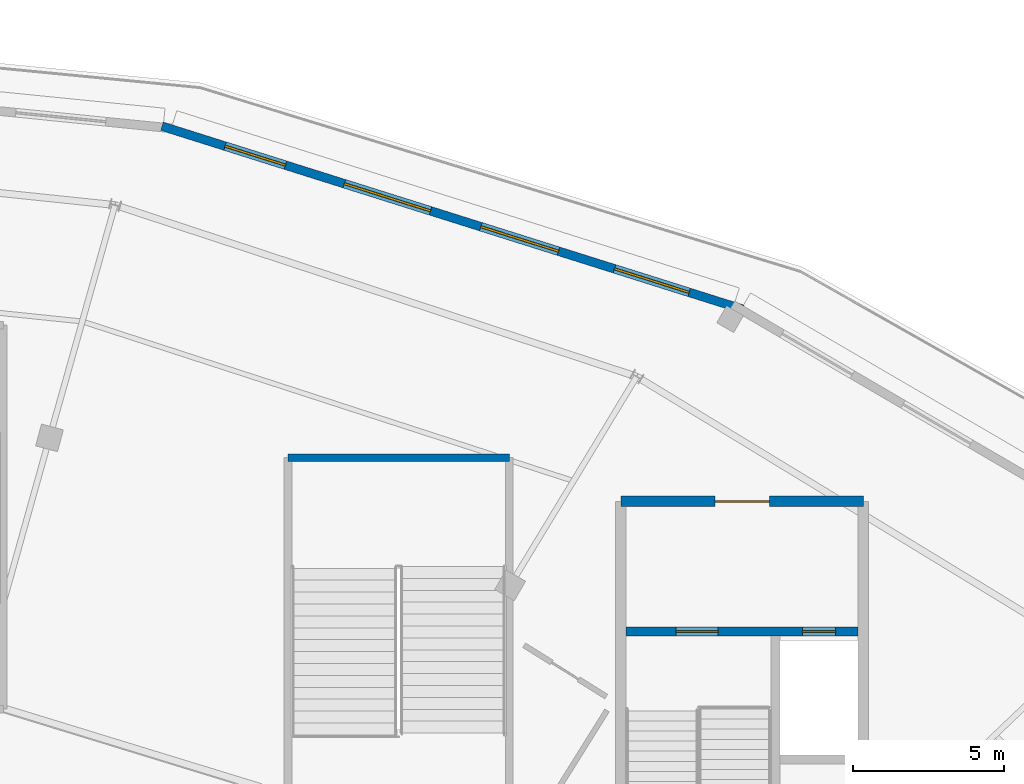
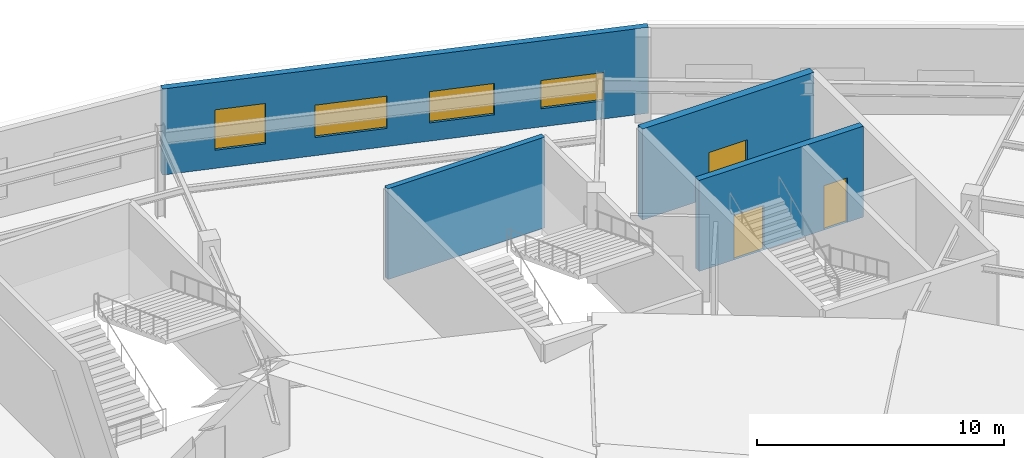
# One storey, part 39 of 63: 4 walls, 4 windows, 3 doors, 7 openings.
"""IFC4 building model written with IfcOpenShell, lengths in metres."""

from ifc_helpers import new_model, si_unit, direction, frame, frame_2d, origin, place, context, subcontext, project, spatial, rectangle, extrude, material, layer, layer_set, type_object, element, fill, save


model = new_model("IFC4")

# Units and contexts
model_context = context("Model", 3, precision=1e-05, world=origin(), true_north=direction((0.0, 1.0)))
body_context = subcontext(model_context, "Body", "Model", "MODEL_VIEW")
ifc_project = project(units=[si_unit("LENGTHUNIT", "METRE"), si_unit("AREAUNIT", "SQUARE_METRE"), si_unit("VOLUMEUNIT", "CUBIC_METRE"), si_unit("PLANEANGLEUNIT", "RADIAN"), si_unit("MASSUNIT", "GRAM", prefix="KILO")], contexts=[model_context])

# Site, building, storey
site_placement = place(None, origin())
site = spatial("IfcSite", under=ifc_project, at=site_placement, CompositionType="ELEMENT")
building_placement = place(site_placement, origin())
building = spatial("IfcBuilding", under=site, at=building_placement, Name="Kalgoora Escarpment Arena", CompositionType="ELEMENT")
storey_placement = place(building_placement, frame((0.0, 0.0, 14.39990234375)))
storey = spatial("IfcBuildingStorey", under=building, at=storey_placement, Name="L03", CompositionType="ELEMENT", Elevation=14.39990234375)

# Wall, opening, door
ifc_material_1 = material(Name="Concrete N50 (fc' 50 MPa)", Category="concrete")
ifc_layer_1 = layer(ifc_material_1, 0.35009765625)
ifc_layer_set_1 = layer_set([ifc_layer_1], Name="WAL-CORE-350")
wall_type_1 = type_object("IfcWallType", Name="WAL-CORE-350", PredefinedType="SHEAR", material=ifc_layer_set_1)
wall_1_placement = place(storey_placement, frame((127.77490234375, 109.22509765625, 0.0), z_axis=(0.0, 0.0, 1.0), x_axis=(1.0, 0.0, 0.0)))
wall_1 = element("IfcWall", 1, at=wall_1_placement, inside=storey, type_object=wall_type_1, Name="Core C4 L03 north lobby wall", PredefinedType="SHEAR", context=body_context, shape_type="SweptSolid", body=[
    extrude(rectangle(XDim=8.050048828125, YDim=0.35009765625, at=frame_2d((4.02490234375, 0.0))), origin(), (0.0, 0.0, 1.0), 4.5),
])
opening_1_placement = place(wall_1_placement, frame((3.125, 0.0, 0.0)))
opening_1 = element("IfcOpeningElement", 2, at=opening_1_placement, cuts=wall_1, Name="Opening FD-C4L", PredefinedType="OPENING", context=body_context, shape_type="SweptSolid", body=[
    extrude(rectangle(XDim=1.800048828125, YDim=2.25, at=frame_2d((0.89990234375, 1.125))), frame((0.0, 0.18505859375, 0.0), z_axis=(0.0, -1.0, 0.0), x_axis=(1.0, 0.0, 0.0)), (0.0, 0.0, 1.0), 0.3701171875),
])
ifc_material_2 = material(Name="Double fire-rated smoke-seal lobby door")
door_type_1 = type_object("IfcDoorType", Name="DR-LOBBY-1800", OperationType="NOTDEFINED", PredefinedType="DOOR", material=ifc_material_2)
door_1_placement = place(opening_1_placement, origin())
door_1 = element("IfcDoor", 3, at=door_1_placement, inside=storey, type_object=door_type_1, Name="Core C4 L03 smoke-lobby fire door", OperationType="DOUBLE_DOOR_SINGLE_SWING", OverallHeight=2.25, OverallWidth=1.800048828125, PredefinedType="DOOR", context=body_context, shape_type="SweptSolid", body=[
    extrude(rectangle(XDim=1.800048828125, YDim=2.25, at=frame_2d((0.89990234375, 1.125))), frame((0.0, 0.02490234375, 0.0), z_axis=(0.0, -1.0, 0.0), x_axis=(1.0, 0.0, 0.0)), (0.0, 0.0, 1.0), 0.050048828125),
])
fill(opening_1, door_1)

# Wall, openings, windows
ifc_material_3 = material(Name="Upper concourse insulated spandrel wall 40 MPa", Category="concrete")
ifc_layer_2 = layer(ifc_material_3, 0.2900390625)
ifc_layer_set_2 = layer_set([ifc_layer_2], Name="WAL-EXT-290")
wall_type_2 = type_object("IfcWallType", Name="WAL-EXT-290", PredefinedType="SOLIDWALL", material=ifc_layer_set_2)
wall_2_placement = place(storey_placement, frame((112.539306640625, 121.6748046875, 0.0), z_axis=(0.0, 0.0, 1.0), x_axis=(0.953756113153, -0.30058156401, 0.0)))
wall_2 = element("IfcWall", 4, at=wall_2_placement, inside=storey, type_object=wall_type_2, Name="L03 limestone-faced external wall 061", PredefinedType="SOLIDWALL", context=body_context, shape_type="SweptSolid", body=[
    extrude(rectangle(XDim=20.21240234375, YDim=0.2900390625, at=frame_2d((10.106201171875, 0.0))), origin(), (0.0, 0.0, 1.0), 4.260009765625),
])
opening_2_placement = place(wall_2_placement, frame((2.199951171875, 0.0, 0.89990234375)))
opening_2 = element("IfcOpeningElement", 5, at=opening_2_placement, cuts=wall_2, Name="Opening W-08", PredefinedType="OPENING", context=body_context, shape_type="SweptSolid", body=[
    extrude(rectangle(XDim=2.10009765625, YDim=2.0, at=frame_2d((1.050048828125, 1.0))), frame((0.0, 0.155029296875, 0.0), z_axis=(0.0, -1.0, 0.0), x_axis=(1.0, 0.0, 0.0)), (0.0, 0.0, 1.0), 0.31005859375),
])
opening_3_placement = place(wall_2_placement, frame((6.35009765625, 0.0, 0.89990234375)))
opening_3 = element("IfcOpeningElement", 6, at=opening_3_placement, cuts=wall_2, Name="Opening W-10", PredefinedType="OPENING", context=body_context, shape_type="SweptSolid", body=[
    extrude(rectangle(XDim=3.0, YDim=1.60009765625, at=frame_2d((1.5, 0.800048828125))), frame((0.0, 0.155029296875, 0.0), z_axis=(0.0, -1.0, 0.0), x_axis=(1.0, 0.0, 0.0)), (0.0, 0.0, 1.0), 0.31005859375),
])
opening_4_placement = place(wall_2_placement, frame((11.10009765625, 0.0, 0.89990234375)))
opening_4 = element("IfcOpeningElement", 7, at=opening_4_placement, cuts=wall_2, Name="Opening W-12", PredefinedType="OPENING", context=body_context, shape_type="SweptSolid", body=[
    extrude(rectangle(XDim=2.699951171875, YDim=1.550048828125, at=frame_2d((1.35009765625, 0.77490234375))), frame((0.0, 0.155029296875, 0.0), z_axis=(0.0, -1.0, 0.0), x_axis=(1.0, 0.0, 0.0)), (0.0, 0.0, 1.0), 0.31005859375),
])
opening_5_placement = place(wall_2_placement, frame((15.75, 0.0, 0.89990234375)))
opening_5 = element("IfcOpeningElement", 8, at=opening_5_placement, cuts=wall_2, Name="Opening W-14", PredefinedType="OPENING", context=body_context, shape_type="SweptSolid", body=[
    extrude(rectangle(XDim=2.60009765625, YDim=1.39990234375, at=frame_2d((1.300048828125, 0.699951171875))), frame((0.0, 0.155029296875, 0.0), z_axis=(0.0, -1.0, 0.0), x_axis=(1.0, 0.0, 0.0)), (0.0, 0.0, 1.0), 0.31005859375),
])
ifc_material_4 = material(Name="Low-E solar-control double glazing in champagne frame", Category="glass")
window_type_1 = type_object("IfcWindowType", Name="WIN-BAND-2700x1550", PartitioningType="SINGLE_PANEL", PredefinedType="WINDOW", material=ifc_material_4)
window_1_placement = place(opening_4_placement, origin())
window_1 = element("IfcWindow", 9, at=window_1_placement, inside=storey, type_object=window_type_1, Name="L03 scheduled facade window 090", OverallHeight=1.550048828125, OverallWidth=2.699951171875, PartitioningType="SINGLE_PANEL", PredefinedType="WINDOW", context=body_context, shape_type="SweptSolid", body=[
    extrude(rectangle(XDim=2.699951171875, YDim=1.550048828125, at=frame_2d((1.35009765625, 0.77490234375))), frame((0.0, 0.030029296875, 0.0), z_axis=(0.0, -1.0, 0.0), x_axis=(1.0, 0.0, 0.0)), (0.0, 0.0, 1.0), 0.06005859375),
])
fill(opening_4, window_1)
ifc_material_5 = material(Name="Low-E solar-control double glazing in champagne frame", Category="glass")
window_type_2 = type_object("IfcWindowType", Name="WIN-BAND-3000x1600", PartitioningType="SINGLE_PANEL", PredefinedType="WINDOW", material=ifc_material_5)
window_2_placement = place(opening_3_placement, origin())
window_2 = element("IfcWindow", 10, at=window_2_placement, inside=storey, type_object=window_type_2, Name="L03 scheduled facade window 089", OverallHeight=1.60009765625, OverallWidth=3.0, PartitioningType="SINGLE_PANEL", PredefinedType="WINDOW", context=body_context, shape_type="SweptSolid", body=[
    extrude(rectangle(XDim=3.0, YDim=1.60009765625, at=frame_2d((1.5, 0.800048828125))), frame((0.0, 0.030029296875, 0.0), z_axis=(0.0, -1.0, 0.0), x_axis=(1.0, 0.0, 0.0)), (0.0, 0.0, 1.0), 0.06005859375),
])
fill(opening_3, window_2)
ifc_material_6 = material(Name="Low-E solar-control double glazing in champagne frame", Category="glass")
window_type_3 = type_object("IfcWindowType", Name="WIN-CLER-2600x1400", PartitioningType="SINGLE_PANEL", PredefinedType="WINDOW", material=ifc_material_6)
window_3_placement = place(opening_5_placement, origin())
window_3 = element("IfcWindow", 11, at=window_3_placement, inside=storey, type_object=window_type_3, Name="L03 scheduled facade window 091", OverallHeight=1.39990234375, OverallWidth=2.60009765625, PartitioningType="SINGLE_PANEL", PredefinedType="WINDOW", context=body_context, shape_type="SweptSolid", body=[
    extrude(rectangle(XDim=2.60009765625, YDim=1.39990234375, at=frame_2d((1.300048828125, 0.699951171875))), frame((0.0, 0.030029296875, 0.0), z_axis=(0.0, -1.0, 0.0), x_axis=(1.0, 0.0, 0.0)), (0.0, 0.0, 1.0), 0.06005859375),
])
fill(opening_5, window_3)
ifc_material_7 = material(Name="Low-E solar-control double glazing in champagne frame", Category="glass")
window_type_4 = type_object("IfcWindowType", Name="WIN-DECO-2100x2000", PartitioningType="SINGLE_PANEL", PredefinedType="WINDOW", material=ifc_material_7)
window_4_placement = place(opening_2_placement, origin())
window_4 = element("IfcWindow", 12, at=window_4_placement, inside=storey, type_object=window_type_4, Name="L03 scheduled facade window 088", OverallHeight=2.0, OverallWidth=2.10009765625, PartitioningType="SINGLE_PANEL", PredefinedType="WINDOW", context=body_context, shape_type="SweptSolid", body=[
    extrude(rectangle(XDim=2.10009765625, YDim=2.0, at=frame_2d((1.050048828125, 1.0))), frame((0.0, 0.030029296875, 0.0), z_axis=(0.0, -1.0, 0.0), x_axis=(1.0, 0.0, 0.0)), (0.0, 0.0, 1.0), 0.06005859375),
])
fill(opening_2, window_4)

# Wall, openings, doors
ifc_material_8 = material(Name="Concrete N50 (fc' 50 MPa)", Category="concrete")
ifc_layer_3 = layer(ifc_material_8, 0.300048828125)
ifc_layer_set_3 = layer_set([ifc_layer_3], Name="WAL-SHAFT-300")
wall_type_3 = type_object("IfcWallType", Name="WAL-SHAFT-300", PredefinedType="SHEAR", material=ifc_layer_set_3)
wall_3_placement = place(storey_placement, frame((127.949951171875, 104.89990234375, 0.0), z_axis=(0.0, 0.0, 1.0), x_axis=(1.0, 0.0, 0.0)))
wall_3 = element("IfcWall", 13, at=wall_3_placement, inside=storey, type_object=wall_type_3, Name="Core C4 L03 lobby shaft wall", PredefinedType="SHEAR", context=body_context, shape_type="SweptSolid", body=[
    extrude(rectangle(XDim=7.699951171875, YDim=0.300048828125, at=frame_2d((3.85009765625, 0.0))), origin(), (0.0, 0.0, 1.0), 4.5),
])
opening_6_placement = place(wall_3_placement, frame((1.64990234375, 0.0, 0.0)))
opening_6 = element("IfcOpeningElement", 14, at=opening_6_placement, cuts=wall_3, Name="Opening FD-ST04", PredefinedType="OPENING", context=body_context, shape_type="SweptSolid", body=[
    extrude(rectangle(XDim=1.39990234375, YDim=2.199951171875, at=frame_2d((0.699951171875, 1.10009765625))), frame((0.0, 0.159912109375, 0.0), z_axis=(0.0, -1.0, 0.0), x_axis=(1.0, 0.0, 0.0)), (0.0, 0.0, 1.0), 0.320068359375),
])
opening_7_placement = place(wall_3_placement, frame((5.85009765625, 0.0, 0.0)))
opening_7 = element("IfcOpeningElement", 15, at=opening_7_placement, cuts=wall_3, Name="Opening LD-PL2", PredefinedType="OPENING", context=body_context, shape_type="SweptSolid", body=[
    extrude(rectangle(XDim=1.10009765625, YDim=2.199951171875, at=frame_2d((0.550048828125, 1.10009765625))), frame((0.0, 0.159912109375, 0.0), z_axis=(0.0, -1.0, 0.0), x_axis=(1.0, 0.0, 0.0)), (0.0, 0.0, 1.0), 0.320068359375),
])
ifc_material_9 = material(Name="Brushed stainless steel sliding lift landing door", Category="steel")
door_type_2 = type_object("IfcDoorType", Name="DR-LD-PL2", OperationType="SLIDING_TO_LEFT", PredefinedType="DOOR", material=ifc_material_9)
door_2_placement = place(opening_7_placement, origin())
door_2 = element("IfcDoor", 16, at=door_2_placement, inside=storey, type_object=door_type_2, Name="Lift PL2 L03 sliding landing door", OperationType="SLIDING_TO_LEFT", OverallHeight=2.199951171875, OverallWidth=1.10009765625, PredefinedType="DOOR", context=body_context, shape_type="SweptSolid", body=[
    extrude(rectangle(XDim=1.10009765625, YDim=2.199951171875, at=frame_2d((0.550048828125, 1.10009765625))), frame((0.0, 0.02490234375, 0.0), z_axis=(0.0, -1.0, 0.0), x_axis=(1.0, 0.0, 0.0)), (0.0, 0.0, 1.0), 0.050048828125),
])
fill(opening_7, door_2)
ifc_material_10 = material(Name="Fire-rated steel stair leaf with vision panel", Category="steel")
door_type_3 = type_object("IfcDoorType", Name="DR-STAIR-1400", OperationType="NOTDEFINED", PredefinedType="DOOR", material=ifc_material_10)
door_3_placement = place(opening_6_placement, origin())
door_3 = element("IfcDoor", 17, at=door_3_placement, inside=storey, type_object=door_type_3, Name="Fire stair ST04 L03 fire door", OperationType="SINGLE_SWING_RIGHT", OverallHeight=2.199951171875, OverallWidth=1.39990234375, PredefinedType="DOOR", context=body_context, shape_type="SweptSolid", body=[
    extrude(rectangle(XDim=1.39990234375, YDim=2.199951171875, at=frame_2d((0.699951171875, 1.10009765625))), frame((0.0, 0.02490234375, 0.0), z_axis=(0.0, -1.0, 0.0), x_axis=(1.0, 0.0, 0.0)), (0.0, 0.0, 1.0), 0.050048828125),
])
fill(opening_6, door_3)

# Wall
ifc_material_11 = material(Name="Concrete N50 (fc' 50 MPa)", Category="concrete")
ifc_layer_4 = layer(ifc_material_11, 0.25)
ifc_layer_set_4 = layer_set([ifc_layer_4], Name="WAL-STAIR-250")
wall_type_4 = type_object("IfcWallType", Name="WAL-STAIR-250", PredefinedType="SHEAR", material=ifc_layer_set_4)
wall_4_placement = place(storey_placement, frame((116.72509765625, 110.675048828125, 0.0), z_axis=(0.0, 0.0, 1.0), x_axis=(1.0, 0.0, 0.0)))
element("IfcWall", 18, at=wall_4_placement, inside=storey, type_object=wall_type_4, Name="Exit stair ST12 L03 north wall", PredefinedType="SHEAR", context=body_context, shape_type="SweptSolid", body=[
    extrude(rectangle(XDim=7.349853515625, YDim=0.25, at=frame_2d((3.6748046875, 0.0))), origin(), (0.0, 0.0, 1.0), 4.5),
])

save(model, "model.ifc")
